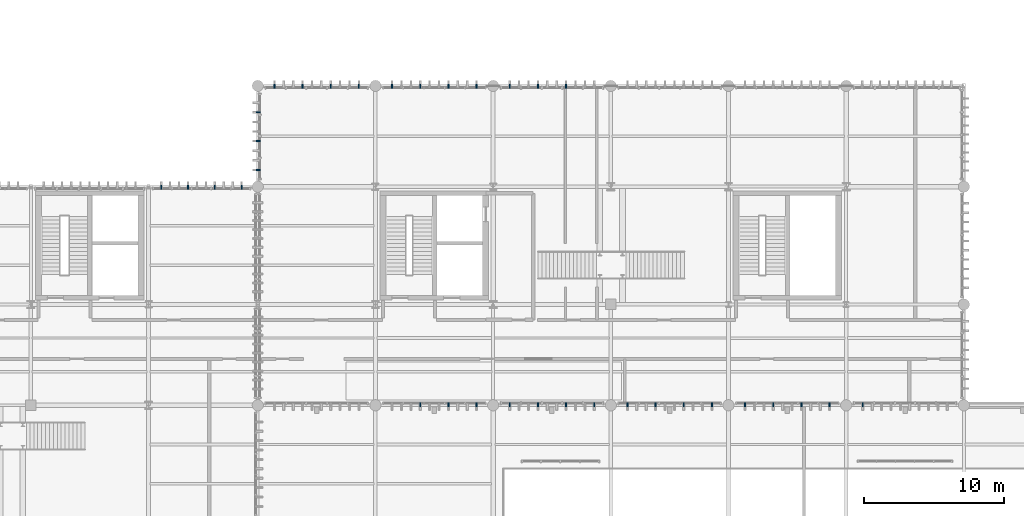
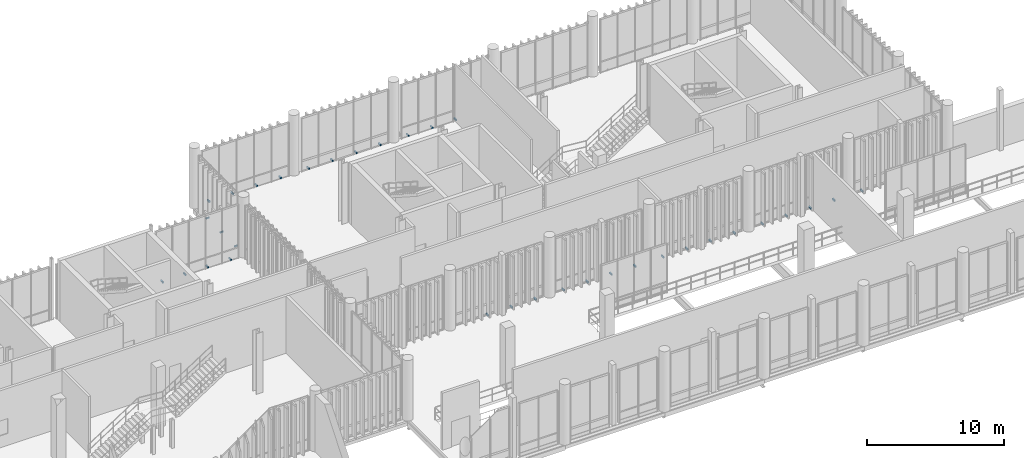
# One storey, part 116 of 128: 34 discrete accessories.
"""IFC4 building model written with IfcOpenShell, lengths in metres."""

from ifc_helpers import new_model, si_unit, direction, frame, origin_with_axes, origin_2d_with_axis, place, context, subcontext, project, spatial, rectangle, extrude, material, type_object, element, save


model = new_model("IFC4")

# Units and contexts
model_context = context("Model", 3, precision=1e-05, world=origin_with_axes(), true_north=direction((0.0, 1.0)))
body_context = subcontext(model_context, "Body", "Model", "MODEL_VIEW")
ifc_project = project(units=[si_unit("LENGTHUNIT", "METRE"), si_unit("AREAUNIT", "SQUARE_METRE"), si_unit("VOLUMEUNIT", "CUBIC_METRE"), si_unit("PLANEANGLEUNIT", "RADIAN"), si_unit("MASSUNIT", "GRAM", prefix="KILO"), si_unit("THERMODYNAMICTEMPERATUREUNIT", "KELVIN")], contexts=[model_context])

# Site, building, storey
site_placement = place(None, origin_with_axes())
site = spatial("IfcSite", under=ifc_project, at=site_placement, CompositionType="ELEMENT")
building_placement = place(site_placement, origin_with_axes())
building = spatial("IfcBuilding", under=site, at=building_placement, Name="Montbau Bow Law Courts", CompositionType="ELEMENT")
storey_placement = place(building_placement, frame((0.0, 0.0, 5.4), z_axis=(0.0, 0.0, 1.0), x_axis=(1.0, 0.0, 0.0)))
storey = spatial("IfcBuildingStorey", under=building, at=storey_placement, Name="L01", CompositionType="ELEMENT", Elevation=5.4)

# Discrete accessories
ifc_material = material(Name="Stainless Steel AISI 316L Outrigger Louvre Bracket", Category="steel")
discrete_accessory_type = type_object("IfcDiscreteAccessoryType", Name="DA-BRK-01", PredefinedType="BRACKET", material=ifc_material)
for number, where, z_axis, x_axis, name in (
    (1, (39.906, 54.56, 5.4), (0.0, 0.0, 1.0), (0.0, 1.0, 0.0), "BRK-L01-0091:brk_0091"),
    (2, (41.82, 54.56, 5.4), (0.0, 0.0, 1.0), (0.0, 1.0, 0.0), "BRK-L01-0092:brk_0092"),
    (3, (43.733, 54.56, 5.4), (0.0, 0.0, 1.0), (0.0, 1.0, 0.0), "BRK-L01-0093:brk_0093"),
    (4, (45.647, 54.56, 5.4), (0.0, 0.0, 1.0), (0.0, 1.0, 0.0), "BRK-L01-0094:brk_0094"),
    (5, (58.395, 39.04, 5.4), (0.0, 0.0, 1.0), (0.0, -1.0, 0.0), "BRK-L01-0472:brk_0472"),
    (6, (60.405, 39.04, 5.4), (0.0, 0.0, 1.0), (0.0, -1.0, 0.0), "BRK-L01-0473:brk_0473"),
    (7, (62.415, 39.04, 5.4), (0.0, 0.0, 1.0), (0.0, -1.0, 0.0), "BRK-L01-0474:brk_0474"),
    (8, (64.785, 39.04, 5.4), (0.0, 0.0, 1.0), (0.0, -1.0, 0.0), "BRK-L01-0475:brk_0475"),
    (9, (66.795, 39.04, 5.4), (0.0, 0.0, 1.0), (0.0, -1.0, 0.0), "BRK-L01-0476:brk_0476"),
    (10, (68.805, 39.04, 5.4), (0.0, 0.0, 1.0), (0.0, -1.0, 0.0), "BRK-L01-0477:brk_0477"),
    (11, (70.815, 39.04, 5.4), (0.0, 0.0, 1.0), (0.0, -1.0, 0.0), "BRK-L01-0478:brk_0478"),
    (12, (73.185, 39.04, 5.4), (0.0, 0.0, 1.0), (0.0, -1.0, 0.0), "BRK-L01-0479:brk_0479"),
    (13, (75.195, 39.04, 5.4), (0.0, 0.0, 1.0), (0.0, -1.0, 0.0), "BRK-L01-0480:brk_0480"),
    (14, (77.205, 39.04, 5.4), (0.0, 0.0, 1.0), (0.0, -1.0, 0.0), "BRK-L01-0481:brk_0481"),
    (15, (79.215, 39.04, 5.4), (0.0, 0.0, 1.0), (0.0, -1.0, 0.0), "BRK-L01-0482:brk_0482"),
    (16, (81.585, 39.04, 5.4), (0.0, 0.0, 1.0), (0.0, -1.0, 0.0), "BRK-L01-0483:brk_0483"),
    (17, (83.595, 39.04, 5.4), (0.0, 0.0, 1.0), (0.0, -1.0, 0.0), "BRK-L01-0484:brk_0484"),
    (18, (85.605, 39.04, 5.4), (0.0, 0.0, 1.0), (0.0, -1.0, 0.0), "BRK-L01-0485:brk_0485"),
    (19, (87.615, 39.04, 5.4), (0.0, 0.0, 1.0), (0.0, -1.0, 0.0), "BRK-L01-0486:brk_0486"),
    (20, (89.985, 39.04, 5.4), (0.0, 0.0, 1.0), (0.0, -1.0, 0.0), "BRK-L01-0487:brk_0487"),
    (21, (47.985, 61.76, 5.4), (0.0, 0.0, 1.0), (0.0, 1.0, 0.0), "BRK-L01-0491:brk_0491"),
    (22, (49.995, 61.76, 5.4), (0.0, 0.0, 1.0), (0.0, 1.0, 0.0), "BRK-L01-0492:brk_0492"),
    (23, (52.005, 61.76, 5.4), (0.0, 0.0, 1.0), (0.0, 1.0, 0.0), "BRK-L01-0493:brk_0493"),
    (24, (54.015, 61.76, 5.4), (0.0, 0.0, 1.0), (0.0, 1.0, 0.0), "BRK-L01-0494:brk_0494"),
    (25, (56.385, 61.76, 5.4), (0.0, 0.0, 1.0), (0.0, 1.0, 0.0), "BRK-L01-0495:brk_0495"),
    (26, (58.395, 61.76, 5.4), (0.0, 0.0, 1.0), (0.0, 1.0, 0.0), "BRK-L01-0496:brk_0496"),
    (27, (60.405, 61.76, 5.4), (0.0, 0.0, 1.0), (0.0, 1.0, 0.0), "BRK-L01-0497:brk_0497"),
    (28, (62.415, 61.76, 5.4), (0.0, 0.0, 1.0), (0.0, 1.0, 0.0), "BRK-L01-0498:brk_0498"),
    (29, (64.785, 61.76, 5.4), (0.0, 0.0, 1.0), (0.0, 1.0, 0.0), "BRK-L01-0499:brk_0499"),
    (30, (66.795, 61.76, 5.4), (0.0, 0.0, 1.0), (0.0, 1.0, 0.0), "BRK-L01-0500:brk_0500"),
    (31, (68.805, 61.76, 5.4), (0.0, 0.0, 1.0), (0.0, 1.0, 0.0), "BRK-L01-0501:brk_0501"),
    (32, (46.84, 55.801, 5.4), (0.0, 0.0, 1.0), (-1.0, 0.0, 0.0), "BRK-L01-0522:brk_0522"),
    (33, (46.84, 57.857, 5.4), (0.0, 0.0, 1.0), (-1.0, 0.0, 0.0), "BRK-L01-0523:brk_0523"),
    (34, (46.84, 59.914, 5.4), (0.0, 0.0, 1.0), (-1.0, 0.0, 0.0), "BRK-L01-0524:brk_0524"),
):
    element("IfcDiscreteAccessory", number, at=place(None, frame(where, z_axis=z_axis, x_axis=x_axis)), inside=storey, type_object=discrete_accessory_type, Name=name, PredefinedType="BRACKET", context=body_context, shape_type="SweptSolid", body=[
        extrude(rectangle(XDim=0.28, YDim=0.09, at=origin_2d_with_axis()), origin_with_axes(), (0.0, 0.0, 1.0), 0.12),
    ])

save(model, "model.ifc")
